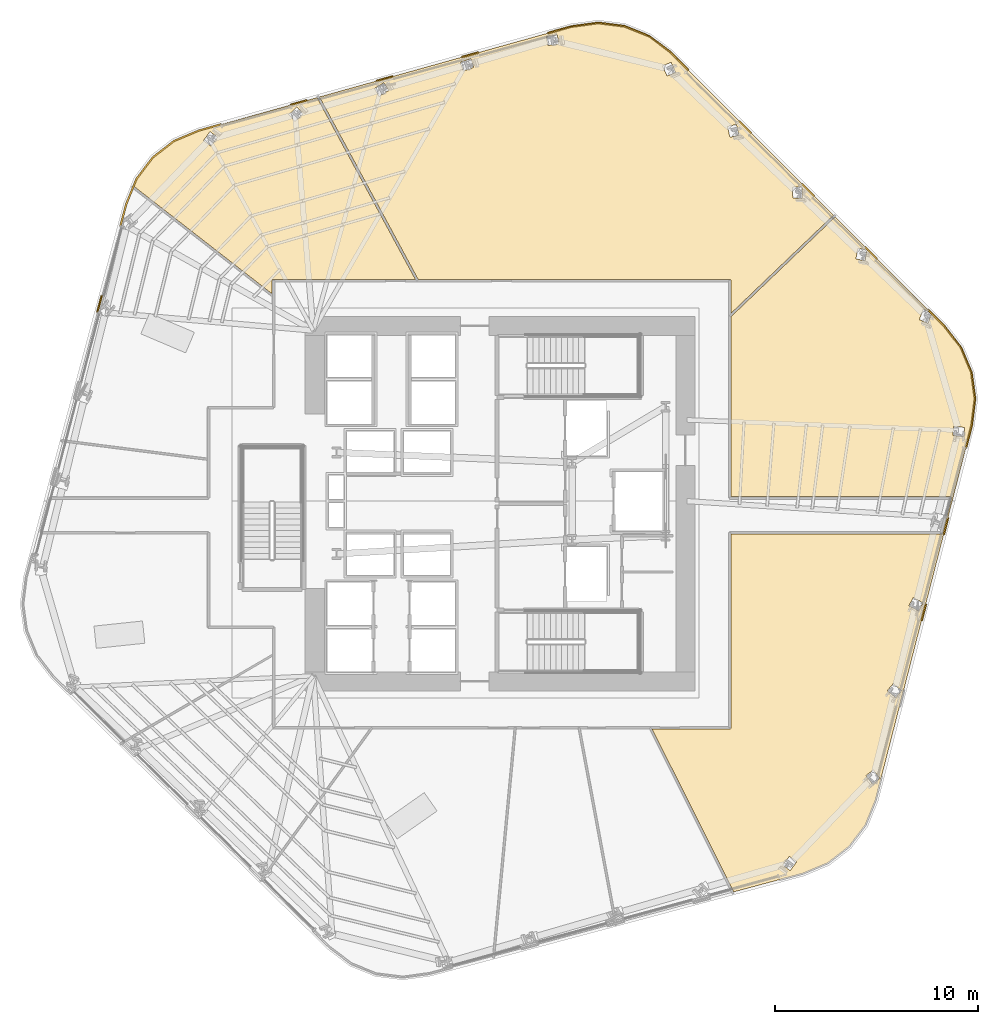
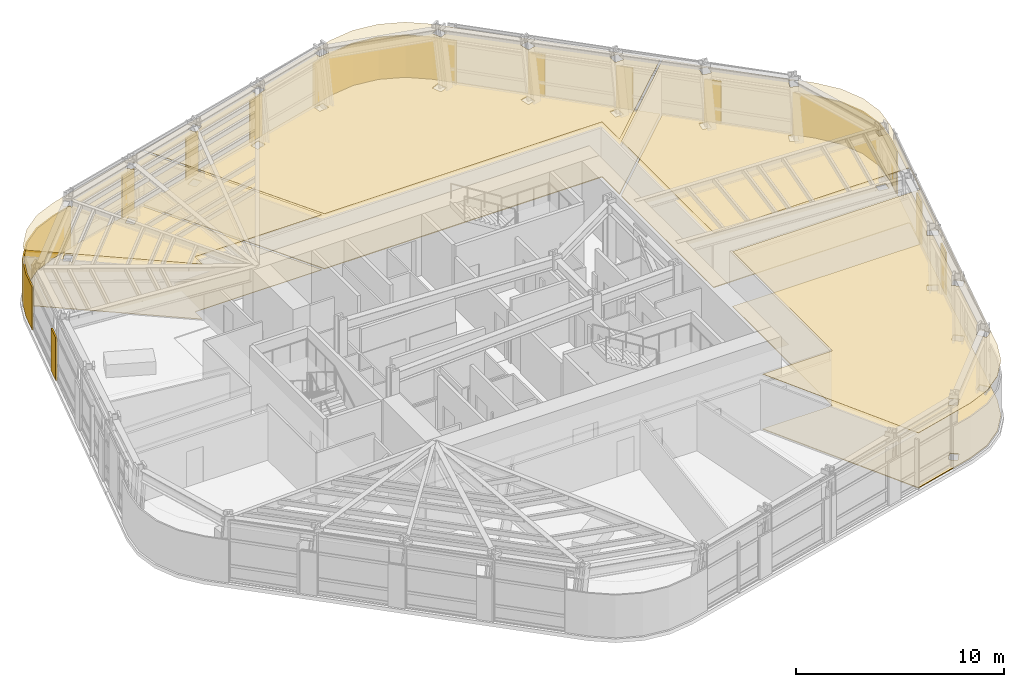
# One storey, part 15 of 16: 18 coverings.
"""IFC4 building model written with IfcOpenShell, lengths in metres."""

import ifcopenshell
import ifcopenshell.guid

model = None  # the IFC model being written
_history = None  # IfcOwnerHistory: only IFC2X3 demands one
_inside = {}  # id of a spatial element -> (the spatial element, [elements in it])
_under = {}  # id of a project, library or spatial element -> (it, [spatial elements below it])
_declared = {}  # id of a project -> (the project, [libraries it declares])
_typed = {}  # id of a type object -> (the type object, [elements of that type])
_made_of = {}  # id of a material, layer set ... -> (it, [elements and type objects made of it])


def new_model(schema):
    """Start an empty IFC model of exactly this schema.

    Asked for "IFC4X3", IfcOpenShell would pick the latest addendum, in which some entities
    have other attributes; the version numbers below select the first issue.
    IFC2X3 requires an IfcOwnerHistory on every rooted entity: one is made here for all.
    """
    global model, _history
    if schema == "IFC4X3":
        model = ifcopenshell.file(schema_version=(4, 3, 0, 0))
    else:
        model = ifcopenshell.file(schema=schema)
    _inside.clear()
    _under.clear()
    _declared.clear()
    _typed.clear()
    _made_of.clear()
    _history = None
    if model.schema == "IFC2X3":
        org = make("IfcOrganization", Name="unknown")
        user = make(
            "IfcPersonAndOrganization",
            ThePerson=make("IfcPerson", FamilyName="unknown"),
            TheOrganization=org,
        )
        app = make(
            "IfcApplication",
            ApplicationDeveloper=org,
            Version="unknown",
            ApplicationFullName="unknown",
            ApplicationIdentifier="unknown",
        )
        _history = make(
            "IfcOwnerHistory",
            OwningUser=user,
            OwningApplication=app,
            ChangeAction="ADDED",
            CreationDate=0,
        )
    return model


def make(cls, **values):
    """One entity of the class cls with the attributes given. An attribute that is None is left unset."""
    return model.create_entity(
        cls, **{name: value for name, value in values.items() if value is not None}
    )


def rooted(cls, **values):
    """An entity with a GlobalId (a new one), such as an element, a storey or a relation."""
    return make(cls, GlobalId=ifcopenshell.guid.new(), OwnerHistory=_history, **values)


def si_unit(unit_type, name, prefix=None):
    """IfcSIUnit, for example si_unit("LENGTHUNIT", "METRE", prefix="MILLI")."""
    return make("IfcSIUnit", UnitType=unit_type, Prefix=prefix, Name=name)


def assignment(units):
    """IfcUnitAssignment: the units of a project."""
    return None if units is None else make("IfcUnitAssignment", Units=units)


def point(xyz):
    """IfcCartesianPoint."""
    return None if xyz is None else make("IfcCartesianPoint", Coordinates=xyz)


def direction(xyz):
    """IfcDirection."""
    return None if xyz is None else make("IfcDirection", DirectionRatios=xyz)


def frame(location, z_axis=None, x_axis=None):
    """IfcAxis2Placement3D, a coordinate frame: its origin and axes. An axis left out is left unset."""
    return make(
        "IfcAxis2Placement3D",
        Location=point(location),
        Axis=direction(z_axis),
        RefDirection=direction(x_axis),
    )


def origin():
    """The frame at (0, 0, 0) with its axes left unset."""
    return frame((0.0, 0.0, 0.0))


def place(relative_to, where):
    """IfcLocalPlacement: puts the frame where relative to a parent placement (None: the world)."""
    return make(
        "IfcLocalPlacement", PlacementRelTo=relative_to, RelativePlacement=where
    )


def context(
    kind, dimensions, precision=None, world=None, true_north=None, identifier=None
):
    """IfcGeometricRepresentationContext, for example the 3D "Model" context."""
    return make(
        "IfcGeometricRepresentationContext",
        ContextIdentifier=identifier,
        ContextType=kind,
        CoordinateSpaceDimension=dimensions,
        Precision=precision,
        WorldCoordinateSystem=world,
        TrueNorth=true_north,
    )


def subcontext(parent, identifier, kind, view, scale=None):
    """IfcGeometricRepresentationSubContext, for example "Body" below "Model"."""
    return make(
        "IfcGeometricRepresentationSubContext",
        ContextIdentifier=identifier,
        ContextType=kind,
        ParentContext=parent,
        TargetScale=scale,
        TargetView=view,
    )


def project(units=None, contexts=None):
    """IfcProject with its units and contexts."""
    return rooted(
        "IfcProject",
        Name="project",
        RepresentationContexts=contexts,
        UnitsInContext=assignment(units),
    )


def spatial(cls, under=None, at=None, **own):
    """A site, building, storey or space (cls), placed at a placement, below another one or the project."""
    s = rooted(cls, ObjectPlacement=at, **own)
    if under is not None:
        _under.setdefault(under.id(), (under, []))[1].append(s)
    return s


def polyline(points):
    """IfcPolyline through the points."""
    return make("IfcPolyline", Points=[point(p) for p in points])


def outline(outer, holes=None, kind="AREA"):
    """IfcArbitraryClosedProfileDef: a profile drawn as a closed curve; with holes, ...WithVoids."""
    if holes is None:
        return make("IfcArbitraryClosedProfileDef", ProfileType=kind, OuterCurve=outer)
    return make(
        "IfcArbitraryProfileDefWithVoids",
        ProfileType=kind,
        OuterCurve=outer,
        InnerCurves=holes,
    )


def extrude(swept, where, along, depth):
    """IfcExtrudedAreaSolid: the profile swept, set in the frame where, extruded along a direction by depth."""
    return make(
        "IfcExtrudedAreaSolid",
        SweptArea=swept,
        Position=where,
        ExtrudedDirection=direction(along),
        Depth=depth,
    )


def shape(context_of_items, identifier, shape_type, items):
    """IfcShapeRepresentation: the items that make up one representation, for example the "Body"."""
    return make(
        "IfcShapeRepresentation",
        ContextOfItems=context_of_items,
        RepresentationIdentifier=identifier,
        RepresentationType=shape_type,
        Items=items,
    )


def material(Name=None, Category=None):
    """IfcMaterial."""
    return make("IfcMaterial", Name=Name, Category=Category)


def layer(
    of_material, thickness, ventilated=None, Name=None, Category=None, Priority=None
):
    """IfcMaterialLayer: one layer of a wall or slab, of a material (None: an air gap)."""
    return make(
        "IfcMaterialLayer",
        Material=of_material,
        LayerThickness=thickness,
        IsVentilated=ventilated,
        Name=Name,
        Category=Category,
        Priority=Priority,
    )


def layer_set(layers, Name=None):
    """IfcMaterialLayerSet."""
    return make("IfcMaterialLayerSet", MaterialLayers=layers, LayerSetName=Name)


def made_of(thing, what):
    """Note that an element or type object is made of a material, layer set ...; save() writes the relation."""
    if what is not None:
        _made_of.setdefault(what.id(), (what, []))[1].append(thing)
    return thing


def type_object(cls, material=None, **own):
    """A type object (cls), such as IfcWallType, which elements share."""
    return made_of(rooted(cls, **own), material)


def element(
    cls,
    number,
    at=None,
    inside=None,
    cuts=None,
    type_object=None,
    material=None,
    context=None,
    identifier="Body",
    shape_type=None,
    held_by="IfcProductDefinitionShape",
    body=None,
    shapes=None,
    **own,
):
    """One element of the class cls, such as IfcWall. Its Tag is "e" and its number.

    at: its placement. inside: the storey or other place that contains it. cuts: it is an
    opening in that element (IfcRelVoidsElement). A single representation is given by context,
    identifier, shape_type and body (its items); several are given by shapes. held_by: the class
    of the entity that holds the representations. save() writes the other relations.
    """
    e = rooted(cls, Tag="e%d" % number, ObjectPlacement=at, **own)
    if body is not None:
        shapes = [shape(context, identifier, shape_type, body)]
    if shapes is not None:
        e.Representation = make(held_by, Representations=shapes)
    if inside is not None:
        _inside.setdefault(inside.id(), (inside, []))[1].append(e)
    if cuts is not None:
        rooted(
            "IfcRelVoidsElement", RelatingBuildingElement=cuts, RelatedOpeningElement=e
        )
    if type_object is not None:
        _typed.setdefault(type_object.id(), (type_object, []))[1].append(e)
    return made_of(e, material)


def aggregate(whole, parts):
    """IfcRelAggregates: a whole, such as a stair, and the parts it consists of."""
    return rooted("IfcRelAggregates", RelatingObject=whole, RelatedObjects=parts)


def save(model, path):
    """Write the relations noted so far, then the file.

    IfcRelAggregates (storeys below a building ...), IfcRelContainedInSpatialStructure (elements
    in a storey), IfcRelDefinesByType, IfcRelAssociatesMaterial and IfcRelDeclares: one each for
    every whole, place, type object, material and project.
    """
    for whole, parts in _under.values():
        aggregate(whole, parts)
    for where, things in _inside.values():
        rooted(
            "IfcRelContainedInSpatialStructure",
            RelatedElements=things,
            RelatingStructure=where,
        )
    for kind, things in _typed.values():
        rooted("IfcRelDefinesByType", RelatedObjects=things, RelatingType=kind)
    for what, things in _made_of.values():
        rooted("IfcRelAssociatesMaterial", RelatedObjects=things, RelatingMaterial=what)
    for by, libraries in _declared.values():
        rooted("IfcRelDeclares", RelatingContext=by, RelatedDefinitions=libraries)
    model.write(path)


model = new_model("IFC4")

# Units and contexts
model_context = context("Model", 3, precision=1e-05, world=origin(), true_north=direction((0.0, 1.0)))
body_context = subcontext(model_context, "Body", "Model", "MODEL_VIEW")
ifc_project = project(units=[si_unit("LENGTHUNIT", "METRE"), si_unit("AREAUNIT", "SQUARE_METRE"), si_unit("VOLUMEUNIT", "CUBIC_METRE"), si_unit("PLANEANGLEUNIT", "RADIAN"), si_unit("MASSUNIT", "GRAM", prefix="KILO")], contexts=[model_context])

# Site, building, storey
site_placement = place(None, origin())
site = spatial("IfcSite", under=ifc_project, at=site_placement, CompositionType="ELEMENT")
building_placement = place(site_placement, origin())
building = spatial("IfcBuilding", under=site, at=building_placement, Name="Valkerne Bourse Tower", CompositionType="ELEMENT")
storey_placement = place(building_placement, frame((0.0, 0.0, 89.60009765625)))
storey = spatial("IfcBuildingStorey", under=building, at=storey_placement, Name="L22", CompositionType="ELEMENT", Elevation=89.60009765625)

# Coverings
ifc_material_1 = material(Name="Mineral Fiber Acoustic Ceiling Tile", Category="acoustic")
ifc_layer_1 = layer(ifc_material_1, 0.02490234375)
ifc_layer_set_1 = layer_set([ifc_layer_1], Name="Mineral Fiber Acoustic Ceiling Tile")
covering_type_1 = type_object("IfcCoveringType", Name="COV-CEIL-ACT", PredefinedType="CEILING", material=ifc_layer_set_1)
covering_1_placement = place(storey_placement, frame((0.0, 0.0, 3.22998046875)))
element("IfcCovering", 1, at=covering_1_placement, inside=storey, type_object=covering_type_1, Name="L22 Suspended Ceiling 06", PredefinedType="CEILING", context=body_context, shape_type="SweptSolid", body=[
    extrude(outline(polyline([(30.747802734375, 44.7255859375), (31.973388671875, 45.24072265625), (37.792724609375, 46.8662109375), (42.6298828125, 37.9189453125), (35.639892578125, 37.91845703125), (35.59912109375, 37.89697265625), (35.5810546875, 37.8544921875), (35.5810546875, 37.2001953125), (28.760009765625, 42.505126953125), (28.9072265625, 42.86572265625), (29.705078125, 43.916748046875), (30.747802734375, 44.7255859375)]), holes=[polyline([(32.880859375, 44.920654296875), (32.518798828125, 45.18798828125), (32.516357421875, 45.185791015625), (32.198486328125, 44.75341796875), (32.560302734375, 44.486083984375), (32.56298828125, 44.48828125), (32.880859375, 44.920654296875)]), polyline([(36.70849609375, 45.703125), (37.10205078125, 46.068359375), (36.796875, 46.398681640625), (36.7939453125, 46.397216796875), (36.400390625, 46.0322265625), (36.705810546875, 45.70166015625), (36.70849609375, 45.703125)])]), origin(), (0.0, 0.0, 1.0), 0.02490234375),
])
covering_2_placement = place(storey_placement, frame((0.0, 0.0, 3.22998046875)))
element("IfcCovering", 2, at=covering_2_placement, inside=storey, type_object=covering_type_1, Name="L22 Suspended Ceiling 10", PredefinedType="CEILING", context=body_context, shape_type="SweptSolid", body=[
    extrude(outline(polyline([(52.9326171875, 50.3759765625), (54.154296875, 49.87744140625), (55.212646484375, 49.073974609375), (63.21044921875, 41.0751953125), (58.1689453125, 36.24658203125), (58.1689453125, 37.853515625), (58.151611328125, 37.89599609375), (58.110107421875, 37.91845703125), (42.763916015625, 37.9189453125), (37.9091796875, 46.898681640625), (50.306884765625, 50.361083984375), (51.62353515625, 50.54150390625), (52.9326171875, 50.3759765625)]), holes=[polyline([(41.31005859375, 47.209716796875), (41.07861328125, 47.595458984375), (41.075439453125, 47.594482421875), (40.61572265625, 47.317138671875), (40.847412109375, 46.931396484375), (40.850341796875, 46.932373046875), (41.31005859375, 47.209716796875)]), polyline([(45.503662109375, 48.353515625), (45.355224609375, 48.7783203125), (45.352294921875, 48.77783203125), (44.845703125, 48.599853515625), (44.993896484375, 48.175048828125), (44.997314453125, 48.17529296875), (45.503662109375, 48.353515625)]), polyline([(49.620361328125, 49.951904296875), (49.6171875, 49.952392578125), (49.08642578125, 49.872802734375), (49.152099609375, 49.427490234375), (49.155517578125, 49.42724609375), (49.686279296875, 49.507080078125), (49.620361328125, 49.951904296875)]), polyline([(61.66015625, 41.92138671875), (61.6513671875, 42.458984375), (61.649169921875, 42.461181640625), (61.2001953125, 42.4521484375), (61.208984375, 41.914306640625), (61.211181640625, 41.912353515625), (61.66015625, 41.92138671875)]), polyline([(58.434814453125, 45.539306640625), (58.43212890625, 45.541015625), (57.994384765625, 45.4404296875), (58.112548828125, 44.915771484375), (58.114990234375, 44.9140625), (58.552978515625, 45.014404296875), (58.434814453125, 45.539306640625)]), polyline([(55.431396484375, 48.111572265625), (55.217041015625, 48.604736328125), (55.2138671875, 48.60595703125), (54.802978515625, 48.425048828125), (55.017333984375, 47.931884765625), (55.0205078125, 47.930908203125), (55.431396484375, 48.111572265625)])]), origin(), (0.0, 0.0, 1.0), 0.02490234375),
])
covering_3_placement = place(storey_placement, frame((0.0, 0.0, 3.22998046875)))
element("IfcCovering", 3, at=covering_3_placement, inside=storey, type_object=covering_type_1, Name="L22 Suspended Ceiling 11", PredefinedType="CEILING", context=body_context, shape_type="SweptSolid", body=[
    extrude(outline(polyline([(62.935302734375, 9.1923828125), (61.710205078125, 8.677490234375), (58.298828125, 7.763427734375), (54.283935546875, 15.781005859375), (58.1005859375, 15.781005859375), (58.140869140625, 15.794189453125), (58.1650390625, 15.826416015625), (58.1689453125, 25.381103515625), (68.517822265625, 25.381103515625), (68.55908203125, 25.39501953125), (68.5830078125, 25.428466796875), (69.021240234375, 27.13623046875), (69.012451171875, 27.1865234375), (68.969970703125, 27.21728515625), (58.1689453125, 27.218994140625), (58.1689453125, 36.083251953125), (63.2939453125, 40.99169921875), (67.984619140625, 36.300537109375), (67.632568359375, 36.4384765625), (67.434326171875, 35.938720703125), (67.435546875, 35.935546875), (67.853759765625, 35.771728515625), (68.041015625, 36.243896484375), (68.671875, 35.61328125), (69.486572265625, 34.562744140625), (69.997802734375, 33.34619140625), (70.177001953125, 32.038818359375), (70.010498046875, 30.719970703125), (65.27783203125, 12.2822265625), (64.775634765625, 11.05224609375), (63.977783203125, 10.001220703125), (62.935302734375, 9.1923828125)]), holes=[polyline([(61.083740234375, 8.814208984375), (61.401611328125, 9.24658203125), (61.03955078125, 9.513916015625), (61.037109375, 9.51171875), (60.71923828125, 9.079345703125), (61.0810546875, 8.81201171875), (61.083740234375, 8.814208984375)]), polyline([(65.501220703125, 13.34521484375), (65.16552734375, 13.7666015625), (64.814453125, 13.488037109375), (64.8125, 13.4853515625), (65.148193359375, 13.06396484375), (65.499267578125, 13.34228515625), (65.501220703125, 13.34521484375)]), polyline([(66.5634765625, 17.6650390625), (66.154541015625, 18.01611328125), (65.86181640625, 17.67626953125), (65.860595703125, 17.673583984375), (66.269287109375, 17.322509765625), (66.56201171875, 17.662109375), (66.5634765625, 17.6650390625)]), polyline([(67.612060546875, 21.99072265625), (67.140380859375, 22.2509765625), (66.923095703125, 21.85888671875), (66.92236328125, 21.85595703125), (67.39404296875, 21.595703125), (67.611328125, 21.98779296875), (67.612060546875, 21.99072265625)]), polyline([(69.670654296875, 30.622802734375), (69.670166015625, 30.6259765625), (69.134765625, 30.685302734375), (69.08447265625, 30.239990234375), (69.0849609375, 30.23681640625), (69.620361328125, 30.177490234375), (69.670654296875, 30.622802734375)]), polyline([(64.858642578125, 39.36767578125), (64.85693359375, 39.3701171875), (64.415283203125, 39.45263671875), (64.314697265625, 38.92431640625), (64.31640625, 38.921630859375), (64.7578125, 38.83935546875), (64.858642578125, 39.36767578125)])]), origin(), (0.0, 0.0, 1.0), 0.02490234375),
])
ifc_material_2 = material(Name="Bronze Anodised Aluminium AA 6063-T6", Category="aluminium")
ifc_layer_2 = layer(ifc_material_2, 0.06005859375)
ifc_layer_set_2 = layer_set([ifc_layer_2], Name="Bronze Anodised Aluminium AA 6063-T6")
covering_type_2 = type_object("IfcCoveringType", Name="COV-CRN-ALUM", PredefinedType="CLADDING", material=ifc_layer_set_2)
covering_4_placement = place(storey_placement, origin())
element("IfcCovering", 4, at=covering_4_placement, inside=storey, type_object=covering_type_2, Name="L22 Wind-Shaped Corner Aluminium Cladding 12", PredefinedType="CLADDING", context=body_context, shape_type="SweptSolid", body=[
    extrude(outline(polyline([(27.1494140625, 37.12060546875), (27.226806640625, 37.100341796875), (27.009521484375, 36.2890625), (26.931884765625, 36.309326171875), (27.1494140625, 37.12060546875)])), origin(), (0.0, 0.0, 1.0), 2.5),
])
covering_5_placement = place(storey_placement, origin())
element("IfcCovering", 5, at=covering_5_placement, inside=storey, type_object=covering_type_2, Name="L22 Wind-Shaped Corner Aluminium Cladding 13", PredefinedType="CLADDING", context=body_context, shape_type="SweptSolid", body=[
    extrude(outline(polyline([(28.36328125, 41.64892578125), (28.86865234375, 42.8876953125), (29.673583984375, 43.947998046875), (30.725341796875, 44.763916015625), (31.958740234375, 45.282470703125), (33.0615234375, 45.590576171875), (33.082763671875, 45.51318359375), (31.985107421875, 45.206787109375), (30.76611328125, 44.6943359375), (29.730712890625, 43.891357421875), (28.938720703125, 42.847900390625), (28.439208984375, 41.623291015625), (28.14404296875, 40.522705078125), (28.066650390625, 40.54296875), (28.36328125, 41.64892578125)])), origin(), (0.0, 0.0, 1.0), 2.5),
])
covering_6_placement = place(storey_placement, origin())
element("IfcCovering", 6, at=covering_6_placement, inside=storey, type_object=covering_type_2, Name="L22 Wind-Shaped Corner Aluminium Cladding 14", PredefinedType="CLADDING", context=body_context, shape_type="SweptSolid", body=[
    extrude(outline(polyline([(37.283203125, 46.76953125), (37.30419921875, 46.6923828125), (36.4951171875, 46.46630859375), (36.47412109375, 46.54345703125), (37.283203125, 46.76953125)])), origin(), (0.0, 0.0, 1.0), 2.5),
])
covering_7_placement = place(storey_placement, origin())
element("IfcCovering", 7, at=covering_7_placement, inside=storey, type_object=covering_type_2, Name="L22 Wind-Shaped Corner Aluminium Cladding 15", PredefinedType="CLADDING", context=body_context, shape_type="SweptSolid", body=[
    extrude(outline(polyline([(41.504638671875, 47.948486328125), (41.525634765625, 47.871337890625), (40.716796875, 47.645263671875), (40.695556640625, 47.722412109375), (41.504638671875, 47.948486328125)])), origin(), (0.0, 0.0, 1.0), 2.5),
])
covering_8_placement = place(storey_placement, origin())
element("IfcCovering", 8, at=covering_8_placement, inside=storey, type_object=covering_type_2, Name="L22 Wind-Shaped Corner Aluminium Cladding 16", PredefinedType="CLADDING", context=body_context, shape_type="SweptSolid", body=[
    extrude(outline(polyline([(45.726318359375, 49.12744140625), (45.747314453125, 49.05029296875), (44.938232421875, 48.82421875), (44.9169921875, 48.901611328125), (45.726318359375, 49.12744140625)])), origin(), (0.0, 0.0, 1.0), 2.5),
])
covering_9_placement = place(storey_placement, origin())
element("IfcCovering", 9, at=covering_9_placement, inside=storey, type_object=covering_type_2, Name="L22 Wind-Shaped Corner Aluminium Cladding 17", PredefinedType="CLADDING", context=body_context, shape_type="SweptSolid", body=[
    extrude(outline(polyline([(50.298095703125, 50.404296875), (51.623291015625, 50.585693359375), (52.94384765625, 50.4189453125), (54.17626953125, 49.916015625), (55.24169921875, 49.107421875), (56.0927734375, 48.255859375), (56.03662109375, 48.19921875), (55.18896484375, 49.046875), (54.13623046875, 49.845947265625), (52.92333984375, 50.3408203125), (51.62353515625, 50.5048828125), (50.314208984375, 50.32568359375), (49.15966796875, 50.00341796875), (49.138671875, 50.080322265625), (50.298095703125, 50.404296875)])), origin(), (0.0, 0.0, 1.0), 2.5),
])
covering_10_placement = place(storey_placement, origin())
element("IfcCovering", 10, at=covering_10_placement, inside=storey, type_object=covering_type_2, Name="L22 Wind-Shaped Corner Aluminium Cladding 18", PredefinedType="CLADDING", context=body_context, shape_type="SweptSolid", body=[
    extrude(outline(polyline([(59.19189453125, 45.156494140625), (59.1357421875, 45.099609375), (58.541748046875, 45.693603515625), (58.597900390625, 45.75048828125), (59.19189453125, 45.156494140625)])), origin(), (0.0, 0.0, 1.0), 2.5),
])
covering_11_placement = place(storey_placement, origin())
element("IfcCovering", 11, at=covering_11_placement, inside=storey, type_object=covering_type_2, Name="L22 Wind-Shaped Corner Aluminium Cladding 19", PredefinedType="CLADDING", context=body_context, shape_type="SweptSolid", body=[
    extrude(outline(polyline([(62.291015625, 42.056884765625), (62.23486328125, 42.0), (61.640869140625, 42.593994140625), (61.697021484375, 42.65087890625), (62.291015625, 42.056884765625)])), origin(), (0.0, 0.0, 1.0), 2.5),
])
covering_12_placement = place(storey_placement, origin())
element("IfcCovering", 12, at=covering_12_placement, inside=storey, type_object=covering_type_2, Name="L22 Wind-Shaped Corner Aluminium Cladding 20", PredefinedType="CLADDING", context=body_context, shape_type="SweptSolid", body=[
    extrude(outline(polyline([(65.39013671875, 38.95751953125), (65.333740234375, 38.900634765625), (64.73974609375, 39.49462890625), (64.796142578125, 39.551513671875), (65.39013671875, 38.95751953125)])), origin(), (0.0, 0.0, 1.0), 2.5),
])
covering_13_placement = place(storey_placement, origin())
element("IfcCovering", 13, at=covering_13_placement, inside=storey, type_object=covering_type_2, Name="L22 Wind-Shaped Corner Aluminium Cladding 21", PredefinedType="CLADDING", context=body_context, shape_type="SweptSolid", body=[
    extrude(outline(polyline([(68.704833984375, 35.642333984375), (69.52490234375, 34.585205078125), (70.040771484375, 33.35791015625), (70.22119140625, 32.0390625), (70.0537109375, 30.711669921875), (69.76904296875, 29.602783203125), (69.691650390625, 29.623046875), (69.974853515625, 30.726806640625), (70.140625, 32.038818359375), (69.962890625, 33.336669921875), (69.455078125, 34.54443359375), (68.644775390625, 35.58935546875), (67.839111328125, 36.395263671875), (67.895263671875, 36.451904296875), (68.704833984375, 35.642333984375)])), origin(), (0.0, 0.0, 1.0), 2.5),
])
covering_14_placement = place(storey_placement, origin())
element("IfcCovering", 14, at=covering_14_placement, inside=storey, type_object=covering_type_2, Name="L22 Wind-Shaped Corner Aluminium Cladding 22", PredefinedType="CLADDING", context=body_context, shape_type="SweptSolid", body=[
    extrude(outline(polyline([(68.67919921875, 25.357421875), (68.601806640625, 25.377685546875), (68.810791015625, 26.191162109375), (68.88818359375, 26.1708984375), (68.67919921875, 25.357421875)])), origin(), (0.0, 0.0, 1.0), 2.5),
])
covering_15_placement = place(storey_placement, origin())
element("IfcCovering", 15, at=covering_15_placement, inside=storey, type_object=covering_type_2, Name="L22 Wind-Shaped Corner Aluminium Cladding 23", PredefinedType="CLADDING", context=body_context, shape_type="SweptSolid", body=[
    extrude(outline(polyline([(67.589599609375, 21.11181640625), (67.51220703125, 21.132080078125), (67.720947265625, 21.94580078125), (67.79833984375, 21.92529296875), (67.589599609375, 21.11181640625)])), origin(), (0.0, 0.0, 1.0), 2.5),
])
ifc_material_3 = material(Name="Galvanised Painted Steel", Category="steel")
ifc_layer_3 = layer(ifc_material_3, 0.044921875)
ifc_layer_set_3 = layer_set([ifc_layer_3], Name="Galvanised Painted Steel")
covering_type_3 = type_object("IfcCoveringType", Name="COV-FLR-RAF", PredefinedType="FLOORING", material=ifc_layer_set_3)
covering_16_placement = place(storey_placement, origin())
element("IfcCovering", 16, at=covering_16_placement, inside=storey, type_object=covering_type_3, Name="L22 Floor Finish 10", PredefinedType="FLOORING", context=body_context, shape_type="SweptSolid", body=[
    extrude(outline(polyline([(52.9326171875, 50.3759765625), (54.154296875, 49.87744140625), (55.212646484375, 49.073974609375), (63.21044921875, 41.0751953125), (58.1689453125, 36.24658203125), (58.1689453125, 37.853515625), (58.151611328125, 37.89599609375), (58.110107421875, 37.91845703125), (42.763916015625, 37.9189453125), (37.9091796875, 46.898681640625), (50.306884765625, 50.361083984375), (51.62353515625, 50.54150390625), (52.9326171875, 50.3759765625)]), holes=[polyline([(41.31005859375, 47.209716796875), (41.07861328125, 47.595458984375), (41.075439453125, 47.594482421875), (40.61572265625, 47.317138671875), (40.847412109375, 46.931396484375), (40.850341796875, 46.932373046875), (41.31005859375, 47.209716796875)]), polyline([(45.503662109375, 48.353515625), (45.355224609375, 48.7783203125), (45.352294921875, 48.77783203125), (44.845703125, 48.599853515625), (44.993896484375, 48.175048828125), (44.997314453125, 48.17529296875), (45.503662109375, 48.353515625)]), polyline([(49.620361328125, 49.951904296875), (49.6171875, 49.952392578125), (49.08642578125, 49.872802734375), (49.152099609375, 49.427490234375), (49.155517578125, 49.42724609375), (49.686279296875, 49.507080078125), (49.620361328125, 49.951904296875)]), polyline([(61.66015625, 41.92138671875), (61.6513671875, 42.458984375), (61.649169921875, 42.461181640625), (61.2001953125, 42.4521484375), (61.208984375, 41.914306640625), (61.211181640625, 41.912353515625), (61.66015625, 41.92138671875)]), polyline([(58.434814453125, 45.539306640625), (58.43212890625, 45.541015625), (57.994384765625, 45.4404296875), (58.112548828125, 44.915771484375), (58.114990234375, 44.9140625), (58.552978515625, 45.014404296875), (58.434814453125, 45.539306640625)]), polyline([(55.431396484375, 48.111572265625), (55.217041015625, 48.604736328125), (55.2138671875, 48.60595703125), (54.802978515625, 48.425048828125), (55.017333984375, 47.931884765625), (55.0205078125, 47.930908203125), (55.431396484375, 48.111572265625)])]), origin(), (0.0, 0.0, 1.0), 0.044921875),
])
covering_17_placement = place(storey_placement, origin())
element("IfcCovering", 17, at=covering_17_placement, inside=storey, type_object=covering_type_3, Name="L22 Floor Finish 11", PredefinedType="FLOORING", context=body_context, shape_type="SweptSolid", body=[
    extrude(outline(polyline([(62.935302734375, 9.1923828125), (61.710205078125, 8.677490234375), (58.298828125, 7.763427734375), (54.283935546875, 15.781005859375), (58.1005859375, 15.781005859375), (58.140869140625, 15.794189453125), (58.1650390625, 15.826416015625), (58.1689453125, 25.381103515625), (68.517822265625, 25.381103515625), (68.55908203125, 25.39501953125), (68.5830078125, 25.428466796875), (69.021240234375, 27.13623046875), (69.012451171875, 27.1865234375), (68.969970703125, 27.21728515625), (58.1689453125, 27.218994140625), (58.1689453125, 36.083251953125), (63.2939453125, 40.99169921875), (67.984619140625, 36.300537109375), (67.632568359375, 36.4384765625), (67.434326171875, 35.938720703125), (67.435546875, 35.935546875), (67.853759765625, 35.771728515625), (68.041015625, 36.243896484375), (68.671875, 35.61328125), (69.486572265625, 34.562744140625), (69.997802734375, 33.34619140625), (70.177001953125, 32.038818359375), (70.010498046875, 30.719970703125), (65.27783203125, 12.2822265625), (64.775634765625, 11.05224609375), (63.977783203125, 10.001220703125), (62.935302734375, 9.1923828125)]), holes=[polyline([(61.083740234375, 8.814208984375), (61.401611328125, 9.24658203125), (61.03955078125, 9.513916015625), (61.037109375, 9.51171875), (60.71923828125, 9.079345703125), (61.0810546875, 8.81201171875), (61.083740234375, 8.814208984375)]), polyline([(65.501220703125, 13.34521484375), (65.16552734375, 13.7666015625), (64.814453125, 13.488037109375), (64.8125, 13.4853515625), (65.148193359375, 13.06396484375), (65.499267578125, 13.34228515625), (65.501220703125, 13.34521484375)]), polyline([(66.5634765625, 17.6650390625), (66.154541015625, 18.01611328125), (65.86181640625, 17.67626953125), (65.860595703125, 17.673583984375), (66.269287109375, 17.322509765625), (66.56201171875, 17.662109375), (66.5634765625, 17.6650390625)]), polyline([(67.612060546875, 21.99072265625), (67.140380859375, 22.2509765625), (66.923095703125, 21.85888671875), (66.92236328125, 21.85595703125), (67.39404296875, 21.595703125), (67.611328125, 21.98779296875), (67.612060546875, 21.99072265625)]), polyline([(69.670654296875, 30.622802734375), (69.670166015625, 30.6259765625), (69.134765625, 30.685302734375), (69.08447265625, 30.239990234375), (69.0849609375, 30.23681640625), (69.620361328125, 30.177490234375), (69.670654296875, 30.622802734375)]), polyline([(64.858642578125, 39.36767578125), (64.85693359375, 39.3701171875), (64.415283203125, 39.45263671875), (64.314697265625, 38.92431640625), (64.31640625, 38.921630859375), (64.7578125, 38.83935546875), (64.858642578125, 39.36767578125)])]), origin(), (0.0, 0.0, 1.0), 0.044921875),
])
ifc_material_4 = material(Name="Polished Granite Stone", Category="masonry")
ifc_layer_4 = layer(ifc_material_4, 0.030029296875)
ifc_layer_set_4 = layer_set([ifc_layer_4], Name="Polished Granite Stone")
covering_type_4 = type_object("IfcCoveringType", Name="COV-FLR-TERRAZZO", PredefinedType="FLOORING", material=ifc_layer_set_4)
covering_18_placement = place(storey_placement, origin())
element("IfcCovering", 18, at=covering_18_placement, inside=storey, type_object=covering_type_4, Name="L22 Floor Finish 06", PredefinedType="FLOORING", context=body_context, shape_type="SweptSolid", body=[
    extrude(outline(polyline([(30.747802734375, 44.7255859375), (31.973388671875, 45.24072265625), (37.792724609375, 46.8662109375), (42.6298828125, 37.9189453125), (35.639892578125, 37.91845703125), (35.59912109375, 37.89697265625), (35.5810546875, 37.8544921875), (35.5810546875, 37.2001953125), (28.760009765625, 42.505126953125), (28.9072265625, 42.86572265625), (29.705078125, 43.916748046875), (30.747802734375, 44.7255859375)]), holes=[polyline([(32.880859375, 44.920654296875), (32.518798828125, 45.18798828125), (32.516357421875, 45.185791015625), (32.198486328125, 44.75341796875), (32.560302734375, 44.486083984375), (32.56298828125, 44.48828125), (32.880859375, 44.920654296875)]), polyline([(36.70849609375, 45.703125), (37.10205078125, 46.068359375), (36.796875, 46.398681640625), (36.7939453125, 46.397216796875), (36.400390625, 46.0322265625), (36.705810546875, 45.70166015625), (36.70849609375, 45.703125)])]), origin(), (0.0, 0.0, 1.0), 0.02978515625),
])

save(model, "model.ifc")
